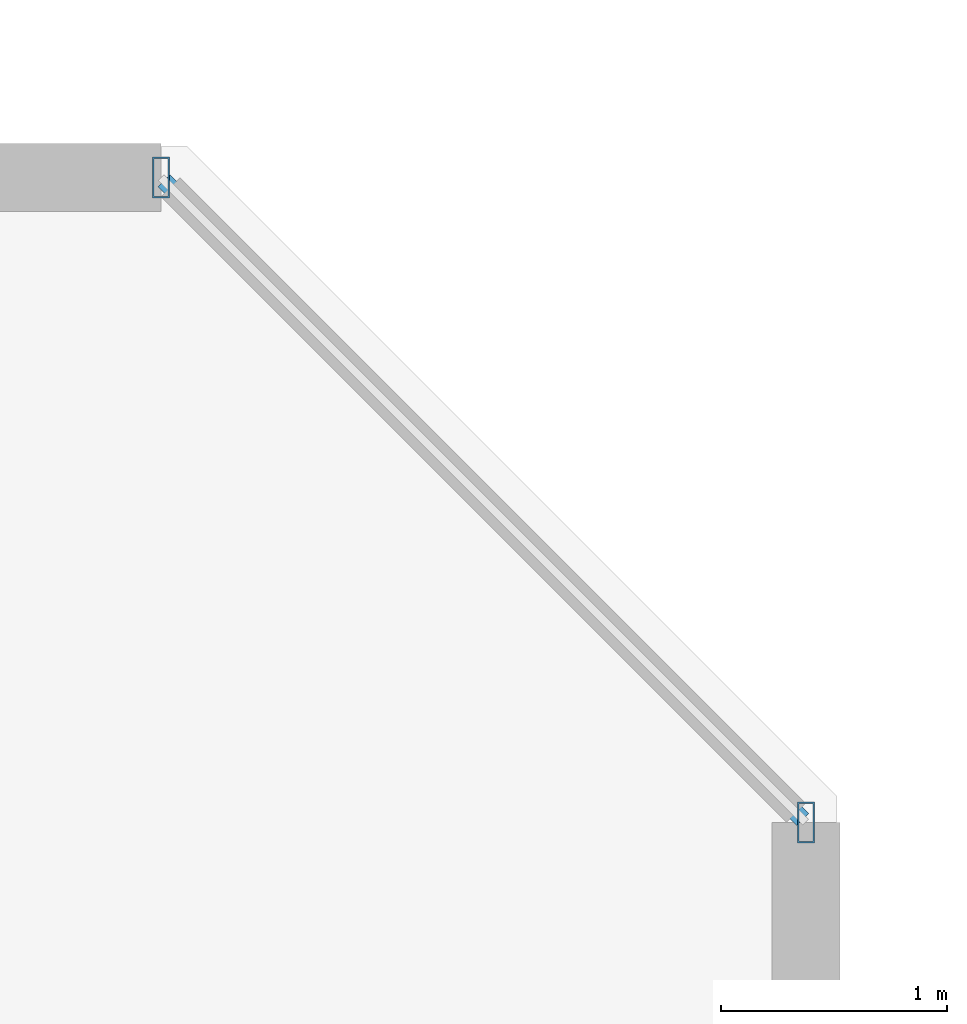
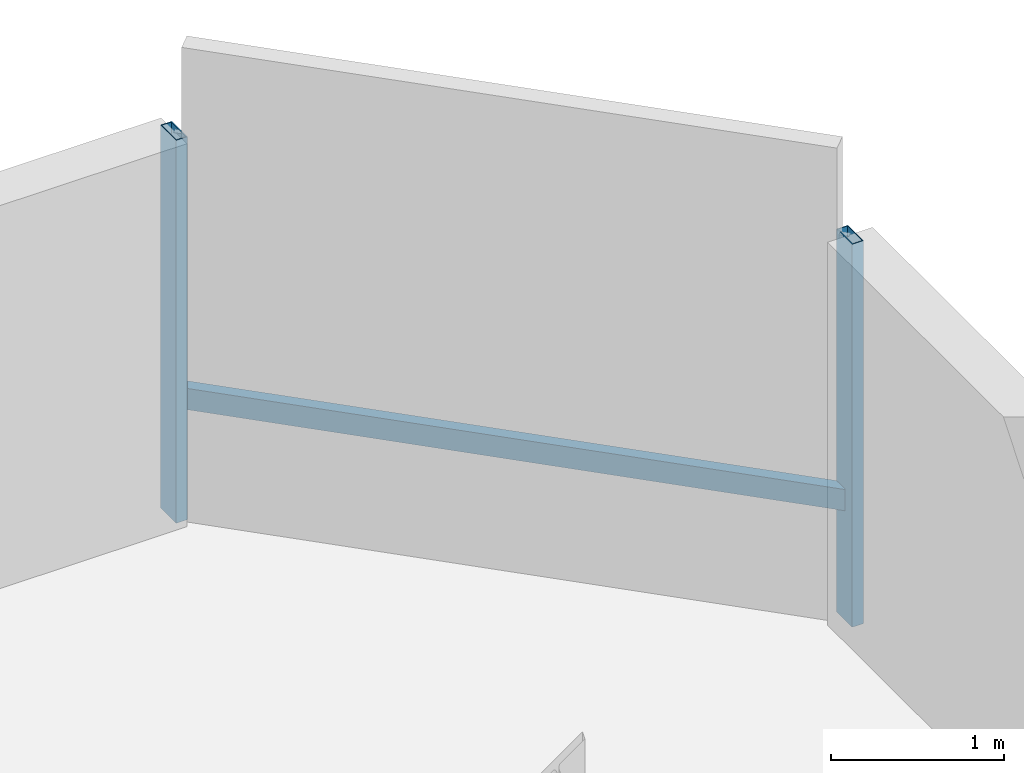
# One storey, part 12 of 35: 3 members, 1 element without a shape of its own.
"""IFC4 building model written with IfcOpenShell, lengths in metres."""

from ifc_helpers import new_model, si_unit, direction, frame, origin, origin_2d, place, context, subcontext, project, spatial, hollow_rectangle, extrude, material, material_profile, profile_set, type_object, element, aggregate, save


model = new_model("IFC4")

# Units and contexts
model_context = context("Model", 3, precision=1e-05, world=origin(), true_north=direction((0.0, 1.0)))
body_context = subcontext(model_context, "Body", "Model", "MODEL_VIEW")
ifc_project = project(units=[si_unit("LENGTHUNIT", "METRE"), si_unit("AREAUNIT", "SQUARE_METRE"), si_unit("VOLUMEUNIT", "CUBIC_METRE"), si_unit("PLANEANGLEUNIT", "RADIAN"), si_unit("MASSUNIT", "GRAM", prefix="KILO")], contexts=[model_context])

# Site, building, storey
site_placement = place(None, origin())
site = spatial("IfcSite", under=ifc_project, at=site_placement, CompositionType="ELEMENT")
building_placement = place(site_placement, origin())
building = spatial("IfcBuilding", under=site, at=building_placement, Name="Thornwick Lancets Civic Towers", CompositionType="ELEMENT")
storey_placement = place(building_placement, frame((0.0, 0.0, 272.699951171875)))
storey = spatial("IfcBuildingStorey", under=building, at=storey_placement, Name="L73", CompositionType="ELEMENT", Elevation=272.699951171875)

# Curtain wall, members
ifc_material_1 = material(Name="High-zone chamfered-corner unitised glass curtain wall", Category="glass")
curtain_wall_type = type_object("IfcCurtainWallType", Name="CW_SYS_05", PredefinedType="NOTDEFINED", material=ifc_material_1)
curtain_wall_placement = place(storey_placement, origin())
curtain_wall = element("IfcCurtainWall", 1, at=curtain_wall_placement, inside=storey, type_object=curtain_wall_type, Name="L73 Curtain Wall CW-L73-A-E3", PredefinedType="NOTDEFINED")
ifc_material_2 = material(Name="Thermally broken bronze aluminium S355", Category="steel")
ifc_material_profile_1 = material_profile(ifc_material_2, hollow_rectangle(XDim=0.074951171875, YDim=0.179931640625, WallThickness=0.006103515625, at=origin_2d()), Name="RHS 180x75x6")
ifc_profile_set_1 = profile_set([ifc_material_profile_1], Name="Thermally broken bronze aluminium S355")
member_type_1 = type_object("IfcMemberType", Name="CW_MUL_180", PredefinedType="MULLION", material=ifc_profile_set_1)
member_1_placement = place(storey_placement, frame((49.263671875, 41.905517578125, 0.0), z_axis=(0.0, 0.0, 1.0), x_axis=(1.0, 0.0, 0.0)))
member_1 = element("IfcMember", 2, at=member_1_placement, type_object=member_type_1, Name="CW-L73-A-E3 Mullion 0", PredefinedType="MULLION", context=body_context, shape_type="SweptSolid", body=[
    extrude(hollow_rectangle(XDim=0.074951171875, YDim=0.179931640625, WallThickness=0.006103515625, at=origin_2d()), origin(), (0.0, 0.0, 1.0), 2.699951171875),
])
member_2_placement = place(storey_placement, frame((46.405517578125, 44.763671875, 0.0), z_axis=(0.0, 0.0, 1.0), x_axis=(1.0, 0.0, 0.0)))
member_2 = element("IfcMember", 3, at=member_2_placement, type_object=member_type_1, Name="CW-L73-A-E3 Mullion 1", PredefinedType="MULLION", context=body_context, shape_type="SweptSolid", body=[
    extrude(hollow_rectangle(XDim=0.074951171875, YDim=0.179931640625, WallThickness=0.006103515625, at=origin_2d()), origin(), (0.0, 0.0, 1.0), 2.699951171875),
])
ifc_material_profile_2 = material_profile(ifc_material_2, hollow_rectangle(XDim=0.074951171875, YDim=0.14990234375, WallThickness=0.0048828125, at=origin_2d()), Name="RHS 150x75x5")
ifc_profile_set_2 = profile_set([ifc_material_profile_2], Name="Thermally broken bronze aluminium S355")
member_type_2 = type_object("IfcMemberType", Name="CW_TRN_150", PredefinedType="USERDEFINED", material=ifc_profile_set_2)
member_3_placement = place(storey_placement, frame((49.24951171875, 41.91943359375, 0.85009765625), z_axis=(-0.707106781187, 0.707106781187, 0.0), x_axis=(-0.707106781187, -0.707106781187, 0.0)))
member_3 = element("IfcMember", 4, at=member_3_placement, type_object=member_type_2, Name="CW-L73-A-E3 Transom 0", ObjectType="TRANSOM", PredefinedType="USERDEFINED", context=body_context, shape_type="SweptSolid", body=[
    extrude(hollow_rectangle(XDim=0.074951171875, YDim=0.14990234375, WallThickness=0.0048828125, at=origin_2d()), origin(), (0.0, 0.0, 1.0), 4.00244140625),
])
aggregate(curtain_wall, [member_1, member_2, member_3])

save(model, "model.ifc")
